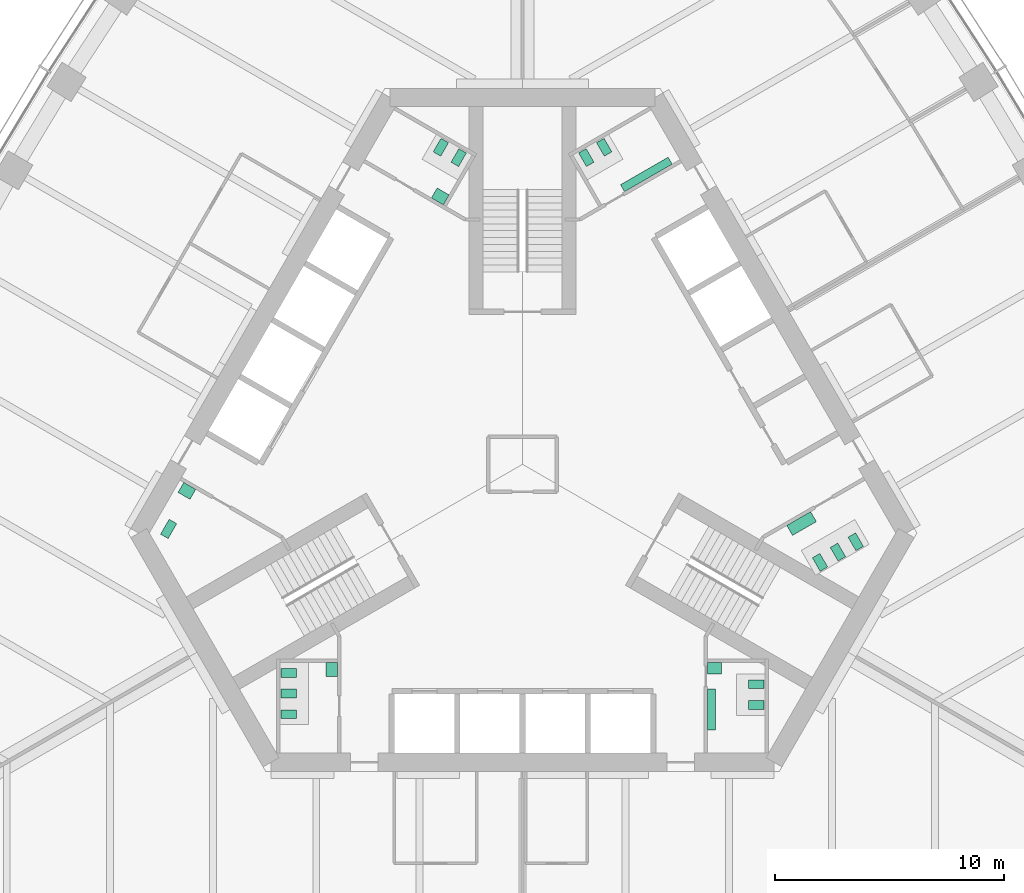
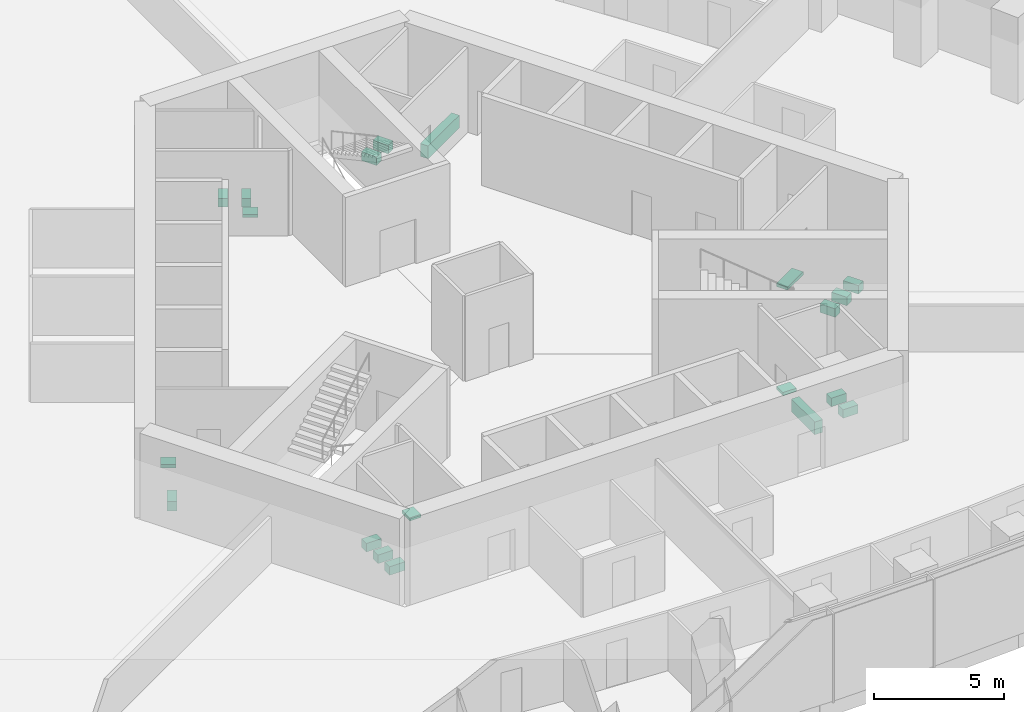
# One storey, part 18 of 19: 20 sanitary terminals.
"""IFC4 building model written with IfcOpenShell, lengths in metres."""

from ifc_helpers import new_model, si_unit, direction, frame, origin, place, context, subcontext, project, spatial, polyline, outline, extrude, material, type_object, element, save


model = new_model("IFC4")

# Units and contexts
model_context = context("Model", 3, precision=1e-05, world=origin(), true_north=direction((0.0, 1.0)))
body_context = subcontext(model_context, "Body", "Model", "MODEL_VIEW")
ifc_project = project(units=[si_unit("LENGTHUNIT", "METRE"), si_unit("AREAUNIT", "SQUARE_METRE"), si_unit("VOLUMEUNIT", "CUBIC_METRE"), si_unit("PLANEANGLEUNIT", "RADIAN"), si_unit("MASSUNIT", "GRAM", prefix="KILO")], contexts=[model_context])

# Site, building, storey
site_placement = place(None, origin())
site = spatial("IfcSite", under=ifc_project, at=site_placement, CompositionType="ELEMENT")
building_placement = place(site_placement, origin())
building = spatial("IfcBuilding", under=site, at=building_placement, Name="Trefoil Bronze Tower", CompositionType="ELEMENT")
storey_placement = place(building_placement, frame((0.0, 0.0, 140.89990234375)))
storey = spatial("IfcBuildingStorey", under=building, at=storey_placement, Name="L32", CompositionType="ELEMENT", Elevation=140.89990234375)

# Sanitary terminals
ifc_material_1 = material(Name="Vitreous china", Category="ceramic")
sanitary_terminal_type_1 = type_object("IfcSanitaryTerminalType", Name="Accessible WC pan", PredefinedType="TOILETPAN", material=ifc_material_1)
sanitary_terminal_1_placement = place(storey_placement, origin())
element("IfcSanitaryTerminal", 1, at=sanitary_terminal_1_placement, inside=storey, type_object=sanitary_terminal_type_1, Name="WC pan 1 Accessible WC L32", PredefinedType="TOILETPAN", context=body_context, shape_type="SweptSolid", body=[
    extrude(outline(polyline([(-15.085693359375, -2.589111328125), (-15.460693359375, -3.238525390625), (-15.789794921875, -3.048583984375), (-15.414794921875, -2.399169921875), (-15.085693359375, -2.589111328125)])), origin(), (0.0, 0.0, 1.0), 0.4501953125),
])
ifc_material_2 = material(Name="Vitreous china", Category="ceramic")
sanitary_terminal_type_2 = type_object("IfcSanitaryTerminalType", Name="Accessible basin", PredefinedType="WASHHANDBASIN", material=ifc_material_2)
sanitary_terminal_2_placement = place(storey_placement, frame((0.0, 0.0, 0.650146484375)))
element("IfcSanitaryTerminal", 2, at=sanitary_terminal_2_placement, inside=storey, type_object=sanitary_terminal_type_2, Name="Wash basin Accessible WC L32", PredefinedType="WASHHANDBASIN", context=body_context, shape_type="SweptSolid", body=[
    extrude(outline(polyline([(-14.256591796875, -1.09326171875), (-14.506591796875, -1.526123046875), (-15.026123046875, -1.22607421875), (-14.776123046875, -0.793212890625), (-14.256591796875, -1.09326171875)])), origin(), (0.0, 0.0, 1.0), 0.14990234375),
])
ifc_material_3 = material(Name="Vitreous china", Category="ceramic")
sanitary_terminal_type_3 = type_object("IfcSanitaryTerminalType", Name="Urinal range 3 urinals", PredefinedType="URINAL", material=ifc_material_3)
sanitary_terminal_3_placement = place(storey_placement, frame((0.0, 0.0, 0.400146484375)))
element("IfcSanitaryTerminal", 3, at=sanitary_terminal_3_placement, inside=storey, type_object=sanitary_terminal_type_3, Name="Urinal range WC (men) L32", PredefinedType="URINAL", context=body_context, shape_type="SweptSolid", body=[
    extrude(outline(polyline([(8.074951171875, -9.800048828125), (8.425048828125, -9.800048828125), (8.425048828125, -11.60009765625), (8.074951171875, -11.60009765625), (8.074951171875, -9.800048828125)])), origin(), (0.0, 0.0, 1.0), 0.599853515625),
])
ifc_material_4 = material(Name="Vitreous china", Category="ceramic")
sanitary_terminal_type_4 = type_object("IfcSanitaryTerminalType", Name="Urinal range 4 urinals", PredefinedType="URINAL", material=ifc_material_4)
sanitary_terminal_4_placement = place(storey_placement, frame((0.0, 0.0, 0.400146484375)))
element("IfcSanitaryTerminal", 4, at=sanitary_terminal_4_placement, inside=storey, type_object=sanitary_terminal_type_4, Name="Urinal range WC (men) L32", PredefinedType="URINAL", context=body_context, shape_type="SweptSolid", body=[
    extrude(outline(polyline([(4.449462890625, 11.89306640625), (4.274658203125, 12.1962890625), (6.35302734375, 13.396240234375), (6.528076171875, 13.09326171875), (4.449462890625, 11.89306640625)])), origin(), (0.0, 0.0, 1.0), 0.599853515625),
])
ifc_material_5 = material(Name="Solid surface vanity", Category="plastic")
sanitary_terminal_type_5 = type_object("IfcSanitaryTerminalType", Name="Vanity unit 1 basins", PredefinedType="WASHHANDBASIN", material=ifc_material_5)
sanitary_terminal_5_placement = place(storey_placement, frame((0.0, 0.0, 0.75)))
element("IfcSanitaryTerminal", 5, at=sanitary_terminal_5_placement, inside=storey, type_object=sanitary_terminal_type_5, Name="Vanity unit WC (men) L32", PredefinedType="WASHHANDBASIN", context=body_context, shape_type="SweptSolid", body=[
    extrude(outline(polyline([(8.074951171875, -8.64990234375), (8.675048828125, -8.64990234375), (8.675048828125, -9.14990234375), (8.074951171875, -9.14990234375), (8.074951171875, -8.64990234375)])), origin(), (0.0, 0.0, 1.0), 0.150146484375),
])
sanitary_terminal_6_placement = place(storey_placement, frame((0.0, 0.0, 0.75)))
element("IfcSanitaryTerminal", 6, at=sanitary_terminal_6_placement, inside=storey, type_object=sanitary_terminal_type_5, Name="Vanity unit WC (women) L32", PredefinedType="WASHHANDBASIN", context=body_context, shape_type="SweptSolid", body=[
    extrude(outline(polyline([(-3.45361328125, 11.318115234375), (-3.20361328125, 11.751220703125), (-3.72314453125, 12.05126953125), (-3.97314453125, 11.6181640625), (-3.45361328125, 11.318115234375)])), origin(), (0.0, 0.0, 1.0), 0.150146484375),
])
sanitary_terminal_7_placement = place(storey_placement, frame((0.0, 0.0, 0.75)))
element("IfcSanitaryTerminal", 7, at=sanitary_terminal_7_placement, inside=storey, type_object=sanitary_terminal_type_5, Name="Vanity unit WC (women) L32", PredefinedType="WASHHANDBASIN", context=body_context, shape_type="SweptSolid", body=[
    extrude(outline(polyline([(-8.074951171875, -8.64990234375), (-8.574951171875, -8.64990234375), (-8.574951171875, -9.25), (-8.074951171875, -9.25), (-8.074951171875, -8.64990234375)])), origin(), (0.0, 0.0, 1.0), 0.150146484375),
])
ifc_material_6 = material(Name="Solid surface vanity", Category="plastic")
sanitary_terminal_type_6 = type_object("IfcSanitaryTerminalType", Name="Vanity unit 2 basins", PredefinedType="WASHHANDBASIN", material=ifc_material_6)
sanitary_terminal_8_placement = place(storey_placement, frame((0.0, 0.0, 0.75)))
element("IfcSanitaryTerminal", 8, at=sanitary_terminal_8_placement, inside=storey, type_object=sanitary_terminal_type_6, Name="Vanity unit WC (women) L32", PredefinedType="WASHHANDBASIN", context=body_context, shape_type="SweptSolid", body=[
    extrude(outline(polyline([(11.528564453125, -2.668212890625), (11.778564453125, -3.10107421875), (12.81787109375, -2.501220703125), (12.56787109375, -2.068115234375), (11.528564453125, -2.668212890625)])), origin(), (0.0, 0.0, 1.0), 0.150146484375),
])
ifc_material_7 = material(Name="Vitreous china", Category="ceramic")
sanitary_terminal_type_7 = type_object("IfcSanitaryTerminalType", Name="WC pan", PredefinedType="TOILETPAN", material=ifc_material_7)
sanitary_terminal_9_placement = place(storey_placement, origin())
element("IfcSanitaryTerminal", 9, at=sanitary_terminal_9_placement, inside=storey, type_object=sanitary_terminal_type_7, Name="WC pan 1 WC (men) L32", PredefinedType="TOILETPAN", context=body_context, shape_type="SweptSolid", body=[
    extrude(outline(polyline([(9.85498046875, -9.409912109375), (10.534912109375, -9.409912109375), (10.534912109375, -9.7900390625), (9.85498046875, -9.7900390625), (9.85498046875, -9.409912109375)])), origin(), (0.0, 0.0, 1.0), 0.400146484375),
])
sanitary_terminal_10_placement = place(storey_placement, origin())
element("IfcSanitaryTerminal", 10, at=sanitary_terminal_10_placement, inside=storey, type_object=sanitary_terminal_type_7, Name="WC pan 2 WC (men) L32", PredefinedType="TOILETPAN", context=body_context, shape_type="SweptSolid", body=[
    extrude(outline(polyline([(9.85498046875, -10.31005859375), (10.534912109375, -10.31005859375), (10.534912109375, -10.68994140625), (9.85498046875, -10.68994140625), (9.85498046875, -10.31005859375)])), origin(), (0.0, 0.0, 1.0), 0.400146484375),
])
sanitary_terminal_11_placement = place(storey_placement, origin())
element("IfcSanitaryTerminal", 11, at=sanitary_terminal_11_placement, inside=storey, type_object=sanitary_terminal_type_7, Name="WC pan 1 WC (women) L32", PredefinedType="TOILETPAN", context=body_context, shape_type="SweptSolid", body=[
    extrude(outline(polyline([(12.643798828125, -4.07958984375), (12.98388671875, -4.66845703125), (13.31298828125, -4.478515625), (12.972900390625, -3.8896484375), (12.643798828125, -4.07958984375)])), origin(), (0.0, 0.0, 1.0), 0.400146484375),
])
sanitary_terminal_12_placement = place(storey_placement, origin())
element("IfcSanitaryTerminal", 12, at=sanitary_terminal_12_placement, inside=storey, type_object=sanitary_terminal_type_7, Name="WC pan 2 WC (women) L32", PredefinedType="TOILETPAN", context=body_context, shape_type="SweptSolid", body=[
    extrude(outline(polyline([(13.423095703125, -3.629638671875), (13.76318359375, -4.218505859375), (14.09228515625, -4.028564453125), (13.752197265625, -3.439697265625), (13.423095703125, -3.629638671875)])), origin(), (0.0, 0.0, 1.0), 0.400146484375),
])
sanitary_terminal_13_placement = place(storey_placement, origin())
element("IfcSanitaryTerminal", 13, at=sanitary_terminal_13_placement, inside=storey, type_object=sanitary_terminal_type_7, Name="WC pan 3 WC (women) L32", PredefinedType="TOILETPAN", context=body_context, shape_type="SweptSolid", body=[
    extrude(outline(polyline([(14.20263671875, -3.1796875), (14.542724609375, -3.7685546875), (14.871826171875, -3.57861328125), (14.53173828125, -2.98974609375), (14.20263671875, -3.1796875)])), origin(), (0.0, 0.0, 1.0), 0.400146484375),
])
sanitary_terminal_14_placement = place(storey_placement, origin())
element("IfcSanitaryTerminal", 14, at=sanitary_terminal_14_placement, inside=storey, type_object=sanitary_terminal_type_7, Name="WC pan 1 WC (men) L32", PredefinedType="TOILETPAN", context=body_context, shape_type="SweptSolid", body=[
    extrude(outline(polyline([(2.788818359375, 12.98974609375), (2.44873046875, 13.57861328125), (2.77783203125, 13.7685546875), (3.117919921875, 13.1796875), (2.788818359375, 12.98974609375)])), origin(), (0.0, 0.0, 1.0), 0.400146484375),
])
sanitary_terminal_15_placement = place(storey_placement, origin())
element("IfcSanitaryTerminal", 15, at=sanitary_terminal_15_placement, inside=storey, type_object=sanitary_terminal_type_7, Name="WC pan 2 WC (men) L32", PredefinedType="TOILETPAN", context=body_context, shape_type="SweptSolid", body=[
    extrude(outline(polyline([(3.568115234375, 13.439697265625), (3.228271484375, 14.028564453125), (3.557373046875, 14.218505859375), (3.897216796875, 13.629638671875), (3.568115234375, 13.439697265625)])), origin(), (0.0, 0.0, 1.0), 0.400146484375),
])
sanitary_terminal_16_placement = place(storey_placement, origin())
element("IfcSanitaryTerminal", 16, at=sanitary_terminal_16_placement, inside=storey, type_object=sanitary_terminal_type_7, Name="WC pan 1 WC (women) L32", PredefinedType="TOILETPAN", context=body_context, shape_type="SweptSolid", body=[
    extrude(outline(polyline([(-2.788818359375, 12.98974609375), (-2.44873046875, 13.57861328125), (-2.77783203125, 13.7685546875), (-3.117919921875, 13.1796875), (-2.788818359375, 12.98974609375)])), origin(), (0.0, 0.0, 1.0), 0.400146484375),
])
sanitary_terminal_17_placement = place(storey_placement, origin())
element("IfcSanitaryTerminal", 17, at=sanitary_terminal_17_placement, inside=storey, type_object=sanitary_terminal_type_7, Name="WC pan 2 WC (women) L32", PredefinedType="TOILETPAN", context=body_context, shape_type="SweptSolid", body=[
    extrude(outline(polyline([(-3.568115234375, 13.439697265625), (-3.228271484375, 14.028564453125), (-3.557373046875, 14.218505859375), (-3.897216796875, 13.629638671875), (-3.568115234375, 13.439697265625)])), origin(), (0.0, 0.0, 1.0), 0.400146484375),
])
sanitary_terminal_18_placement = place(storey_placement, origin())
element("IfcSanitaryTerminal", 18, at=sanitary_terminal_18_placement, inside=storey, type_object=sanitary_terminal_type_7, Name="WC pan 1 WC (women) L32", PredefinedType="TOILETPAN", context=body_context, shape_type="SweptSolid", body=[
    extrude(outline(polyline([(-9.85498046875, -8.909912109375), (-10.534912109375, -8.909912109375), (-10.534912109375, -9.2900390625), (-9.85498046875, -9.2900390625), (-9.85498046875, -8.909912109375)])), origin(), (0.0, 0.0, 1.0), 0.400146484375),
])
sanitary_terminal_19_placement = place(storey_placement, origin())
element("IfcSanitaryTerminal", 19, at=sanitary_terminal_19_placement, inside=storey, type_object=sanitary_terminal_type_7, Name="WC pan 2 WC (women) L32", PredefinedType="TOILETPAN", context=body_context, shape_type="SweptSolid", body=[
    extrude(outline(polyline([(-9.85498046875, -9.81005859375), (-10.534912109375, -9.81005859375), (-10.534912109375, -10.18994140625), (-9.85498046875, -10.18994140625), (-9.85498046875, -9.81005859375)])), origin(), (0.0, 0.0, 1.0), 0.400146484375),
])
sanitary_terminal_20_placement = place(storey_placement, origin())
element("IfcSanitaryTerminal", 20, at=sanitary_terminal_20_placement, inside=storey, type_object=sanitary_terminal_type_7, Name="WC pan 3 WC (women) L32", PredefinedType="TOILETPAN", context=body_context, shape_type="SweptSolid", body=[
    extrude(outline(polyline([(-9.85498046875, -10.7099609375), (-10.534912109375, -10.7099609375), (-10.534912109375, -11.090087890625), (-9.85498046875, -11.090087890625), (-9.85498046875, -10.7099609375)])), origin(), (0.0, 0.0, 1.0), 0.400146484375),
])

save(model, "model.ifc")
